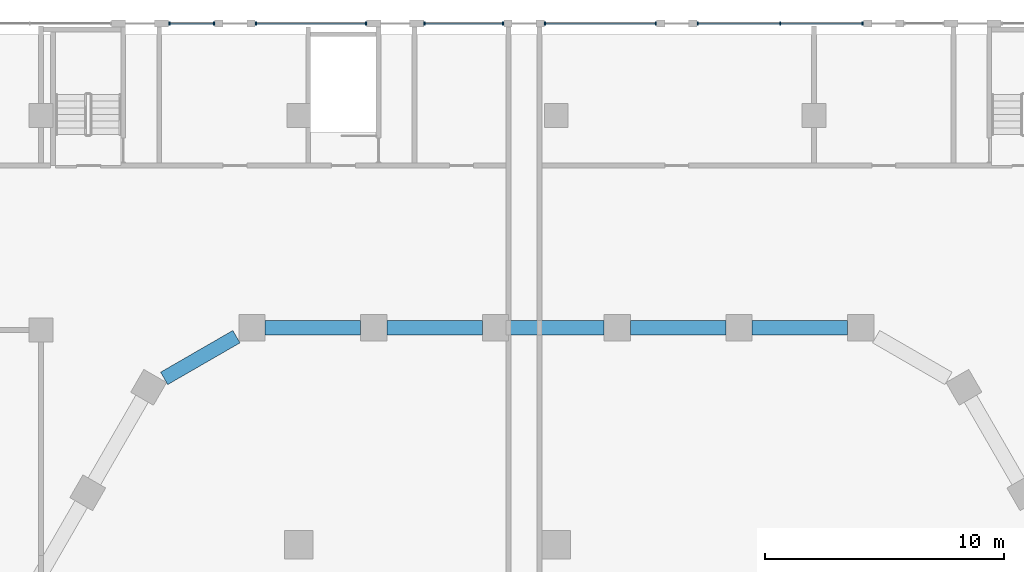
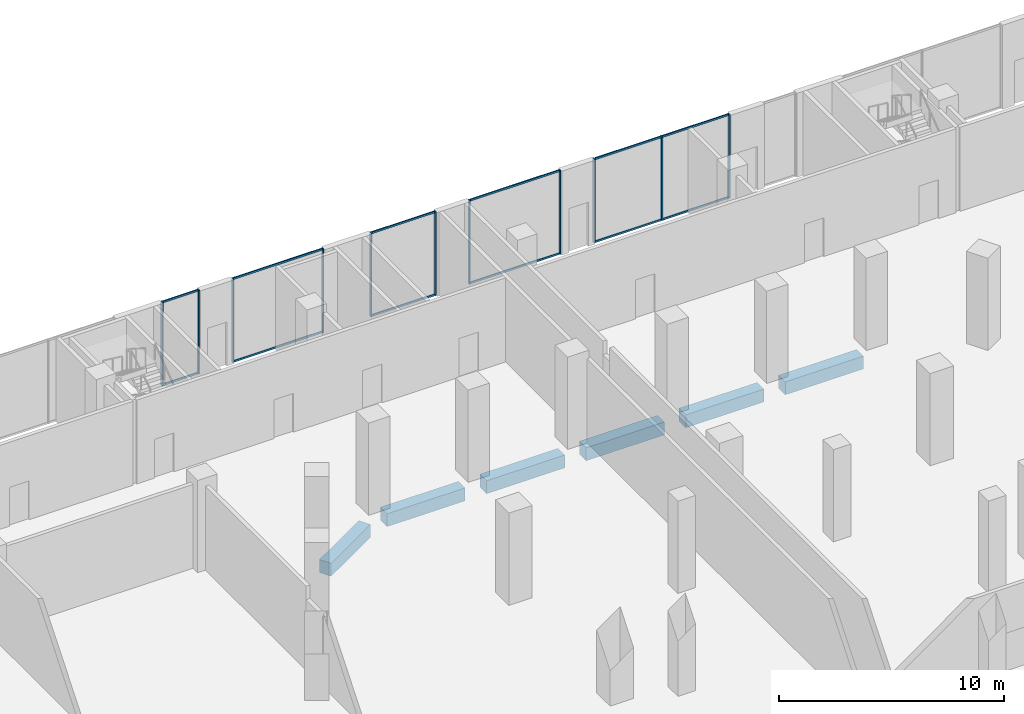
# One storey, part 13 of 57: 23 members, 6 beams, 5 elements without a shape of their own.
"""IFC4 building model written with IfcOpenShell, lengths in metres."""

from ifc_helpers import new_model, si_unit, direction, frame, origin, origin_2d, place, context, subcontext, project, spatial, rectangle, hollow_rectangle, extrude, material, material_profile, profile_set, type_object, element, aggregate, save


model = new_model("IFC4")

# Units and contexts
model_context = context("Model", 3, precision=1e-05, world=origin(), true_north=direction((0.0, 1.0)))
body_context = subcontext(model_context, "Body", "Model", "MODEL_VIEW")
ifc_project = project(units=[si_unit("LENGTHUNIT", "METRE"), si_unit("AREAUNIT", "SQUARE_METRE"), si_unit("VOLUMEUNIT", "CUBIC_METRE"), si_unit("PLANEANGLEUNIT", "RADIAN"), si_unit("MASSUNIT", "GRAM", prefix="KILO")], contexts=[model_context])

# Site, building, storey
site_placement = place(None, origin())
site = spatial("IfcSite", under=ifc_project, at=site_placement, CompositionType="ELEMENT")
building_placement = place(site_placement, origin())
building = spatial("IfcBuilding", under=site, at=building_placement, Name="Beryl Residences", CompositionType="ELEMENT")
storey_placement = place(building_placement, origin())
storey = spatial("IfcBuildingStorey", under=building, at=storey_placement, Name="L00", CompositionType="ELEMENT", Elevation=0.0)

# Curtain wall, members
ifc_material_1 = material(Name="Aluminium and clear glass", Category="aluminium")
curtain_wall_type = type_object("IfcCurtainWallType", Name="CW1 shopfront glazed wall", PredefinedType="NOTDEFINED", material=ifc_material_1)
curtain_wall_1_placement = place(storey_placement, origin())
curtain_wall_1 = element("IfcCurtainWall", 1, at=curtain_wall_1_placement, inside=storey, type_object=curtain_wall_type, Name="CW1 L00 N", PredefinedType="NOTDEFINED")
ifc_material_2 = material(Name="Aluminium", Category="aluminium")
ifc_material_profile_1 = material_profile(ifc_material_2, rectangle(XDim=0.06005859375, YDim=0.14990234375, at=origin_2d()))
ifc_profile_set_1 = profile_set([ifc_material_profile_1], Name="Aluminium")
member_type_1 = type_object("IfcMemberType", Name="CW1-M mullion 60 x 150 mm", PredefinedType="MULLION", material=ifc_profile_set_1)
member_1_placement = place(storey_placement, frame((12.844970703125, 39.85009765625, 0.0), z_axis=(0.0, 0.0, 1.0), x_axis=(-1.0, 0.0, 0.0)))
member_1 = element("IfcMember", 2, at=member_1_placement, type_object=member_type_1, Name="CW1 mullion 1", PredefinedType="MULLION", context=body_context, shape_type="SweptSolid", body=[
    extrude(rectangle(XDim=0.06005859375, YDim=0.14990234375, at=origin_2d()), origin(), (0.0, 0.0, 1.0), 4.550048828125),
])
member_2_placement = place(storey_placement, frame((9.387451171875, 39.85009765625, 0.0), z_axis=(0.0, 0.0, 1.0), x_axis=(-1.0, 0.0, 0.0)))
member_2 = element("IfcMember", 3, at=member_2_placement, type_object=member_type_1, Name="CW1 mullion 2", PredefinedType="MULLION", context=body_context, shape_type="SweptSolid", body=[
    extrude(rectangle(XDim=0.06005859375, YDim=0.14990234375, at=origin_2d()), origin(), (0.0, 0.0, 1.0), 4.550048828125),
])
member_3_placement = place(storey_placement, frame((5.929931640625, 39.85009765625, 0.0), z_axis=(0.0, 0.0, 1.0), x_axis=(-1.0, 0.0, 0.0)))
member_3 = element("IfcMember", 4, at=member_3_placement, type_object=member_type_1, Name="CW1 mullion 3", PredefinedType="MULLION", context=body_context, shape_type="SweptSolid", body=[
    extrude(rectangle(XDim=0.06005859375, YDim=0.14990234375, at=origin_2d()), origin(), (0.0, 0.0, 1.0), 4.550048828125),
])

curtain_wall_2_placement = place(storey_placement, origin())
curtain_wall_2 = element("IfcCurtainWall", 5, at=curtain_wall_2_placement, inside=storey, type_object=curtain_wall_type, Name="CW1 L00 N", PredefinedType="NOTDEFINED")
member_4_placement = place(storey_placement, frame((4.169921875, 39.85009765625, 0.0), z_axis=(0.0, 0.0, 1.0), x_axis=(-1.0, 0.0, 0.0)))
member_4 = element("IfcMember", 6, at=member_4_placement, type_object=member_type_1, Name="CW1 mullion 1", PredefinedType="MULLION", context=body_context, shape_type="SweptSolid", body=[
    extrude(rectangle(XDim=0.06005859375, YDim=0.14990234375, at=origin_2d()), origin(), (0.0, 0.0, 1.0), 4.550048828125),
])
member_5_placement = place(storey_placement, frame((-0.469970703125, 39.85009765625, 0.0), z_axis=(0.0, 0.0, 1.0), x_axis=(-1.0, 0.0, 0.0)))
member_5 = element("IfcMember", 7, at=member_5_placement, type_object=member_type_1, Name="CW1 mullion 2", PredefinedType="MULLION", context=body_context, shape_type="SweptSolid", body=[
    extrude(rectangle(XDim=0.06005859375, YDim=0.14990234375, at=origin_2d()), origin(), (0.0, 0.0, 1.0), 4.550048828125),
])

curtain_wall_3_placement = place(storey_placement, origin())
curtain_wall_3 = element("IfcCurtainWall", 8, at=curtain_wall_3_placement, inside=storey, type_object=curtain_wall_type, Name="CW1 L00 N", PredefinedType="NOTDEFINED")
member_6_placement = place(storey_placement, frame((-2.22998046875, 39.85009765625, 0.0), z_axis=(0.0, 0.0, 1.0), x_axis=(-1.0, 0.0, 0.0)))
member_6 = element("IfcMember", 9, at=member_6_placement, type_object=member_type_1, Name="CW1 mullion 1", PredefinedType="MULLION", context=body_context, shape_type="SweptSolid", body=[
    extrude(rectangle(XDim=0.06005859375, YDim=0.14990234375, at=origin_2d()), origin(), (0.0, 0.0, 1.0), 4.550048828125),
])
member_7_placement = place(storey_placement, frame((-5.52001953125, 39.85009765625, 0.0), z_axis=(0.0, 0.0, 1.0), x_axis=(-1.0, 0.0, 0.0)))
member_7 = element("IfcMember", 10, at=member_7_placement, type_object=member_type_1, Name="CW1 mullion 2", PredefinedType="MULLION", context=body_context, shape_type="SweptSolid", body=[
    extrude(rectangle(XDim=0.06005859375, YDim=0.14990234375, at=origin_2d()), origin(), (0.0, 0.0, 1.0), 4.550048828125),
])

curtain_wall_4_placement = place(storey_placement, origin())
curtain_wall_4 = element("IfcCurtainWall", 11, at=curtain_wall_4_placement, inside=storey, type_object=curtain_wall_type, Name="CW1 L00 N", PredefinedType="NOTDEFINED")
member_8_placement = place(storey_placement, frame((-7.97998046875, 39.85009765625, 0.0), z_axis=(0.0, 0.0, 1.0), x_axis=(-1.0, 0.0, 0.0)))
member_8 = element("IfcMember", 12, at=member_8_placement, type_object=member_type_1, Name="CW1 mullion 1", PredefinedType="MULLION", context=body_context, shape_type="SweptSolid", body=[
    extrude(rectangle(XDim=0.06005859375, YDim=0.14990234375, at=origin_2d()), origin(), (0.0, 0.0, 1.0), 4.550048828125),
])
member_9_placement = place(storey_placement, frame((-12.594970703125, 39.85009765625, 0.0), z_axis=(0.0, 0.0, 1.0), x_axis=(-1.0, 0.0, 0.0)))
member_9 = element("IfcMember", 13, at=member_9_placement, type_object=member_type_1, Name="CW1 mullion 2", PredefinedType="MULLION", context=body_context, shape_type="SweptSolid", body=[
    extrude(rectangle(XDim=0.06005859375, YDim=0.14990234375, at=origin_2d()), origin(), (0.0, 0.0, 1.0), 4.550048828125),
])

curtain_wall_5_placement = place(storey_placement, origin())
curtain_wall_5 = element("IfcCurtainWall", 14, at=curtain_wall_5_placement, inside=storey, type_object=curtain_wall_type, Name="CW1 L00 N", PredefinedType="NOTDEFINED")
member_10_placement = place(storey_placement, frame((-14.35498046875, 39.85009765625, 0.0), z_axis=(0.0, 0.0, 1.0), x_axis=(-1.0, 0.0, 0.0)))
member_10 = element("IfcMember", 15, at=member_10_placement, type_object=member_type_1, Name="CW1 mullion 1", PredefinedType="MULLION", context=body_context, shape_type="SweptSolid", body=[
    extrude(rectangle(XDim=0.06005859375, YDim=0.14990234375, at=origin_2d()), origin(), (0.0, 0.0, 1.0), 4.550048828125),
])
member_11_placement = place(storey_placement, frame((-16.219970703125, 39.85009765625, 0.0), z_axis=(0.0, 0.0, 1.0), x_axis=(-1.0, 0.0, 0.0)))
member_11 = element("IfcMember", 16, at=member_11_placement, type_object=member_type_1, Name="CW1 mullion 2", PredefinedType="MULLION", context=body_context, shape_type="SweptSolid", body=[
    extrude(rectangle(XDim=0.06005859375, YDim=0.14990234375, at=origin_2d()), origin(), (0.0, 0.0, 1.0), 4.550048828125),
])

# Member
ifc_material_3 = material(Name="Aluminium", Category="aluminium")
ifc_material_profile_2 = material_profile(ifc_material_3, hollow_rectangle(XDim=0.06005859375, YDim=0.10009765625, WallThickness=0.00390625, at=origin_2d()))
ifc_profile_set_2 = profile_set([ifc_material_profile_2], Name="Aluminium")
member_type_2 = type_object("IfcMemberType", Name="CW1-T transom 60 x 100 mm", PredefinedType="USERDEFINED", material=ifc_profile_set_2)
member_12_placement = place(storey_placement, frame((12.81494140625, 39.85009765625, 0.030029296875), z_axis=(-1.0, 0.0, 0.0), x_axis=(0.0, -1.0, 0.0)))
member_12 = element("IfcMember", 17, at=member_12_placement, type_object=member_type_2, Name="CW1 transom 1.1", ObjectType="TRANSOM", PredefinedType="USERDEFINED", context=body_context, shape_type="SweptSolid", body=[
    extrude(hollow_rectangle(XDim=0.06005859375, YDim=0.10009765625, WallThickness=0.00390625, at=origin_2d()), origin(), (0.0, 0.0, 1.0), 3.3974609375),
])

member_13_placement = place(storey_placement, frame((12.81494140625, 39.85009765625, 4.52001953125), z_axis=(-1.0, 0.0, 0.0), x_axis=(0.0, -1.0, 0.0)))
member_13 = element("IfcMember", 18, at=member_13_placement, type_object=member_type_2, Name="CW1 transom 1.2", ObjectType="TRANSOM", PredefinedType="USERDEFINED", context=body_context, shape_type="SweptSolid", body=[
    extrude(hollow_rectangle(XDim=0.06005859375, YDim=0.10009765625, WallThickness=0.00390625, at=origin_2d()), origin(), (0.0, 0.0, 1.0), 3.3974609375),
])

member_14_placement = place(storey_placement, frame((9.357421875, 39.85009765625, 0.030029296875), z_axis=(-1.0, 0.0, 0.0), x_axis=(0.0, -1.0, 0.0)))
member_14 = element("IfcMember", 19, at=member_14_placement, type_object=member_type_2, Name="CW1 transom 2.1", ObjectType="TRANSOM", PredefinedType="USERDEFINED", context=body_context, shape_type="SweptSolid", body=[
    extrude(hollow_rectangle(XDim=0.06005859375, YDim=0.10009765625, WallThickness=0.00390625, at=origin_2d()), origin(), (0.0, 0.0, 1.0), 3.3974609375),
])

member_15_placement = place(storey_placement, frame((9.357421875, 39.85009765625, 4.52001953125), z_axis=(-1.0, 0.0, 0.0), x_axis=(0.0, -1.0, 0.0)))
member_15 = element("IfcMember", 20, at=member_15_placement, type_object=member_type_2, Name="CW1 transom 2.2", ObjectType="TRANSOM", PredefinedType="USERDEFINED", context=body_context, shape_type="SweptSolid", body=[
    extrude(hollow_rectangle(XDim=0.06005859375, YDim=0.10009765625, WallThickness=0.00390625, at=origin_2d()), origin(), (0.0, 0.0, 1.0), 3.3974609375),
])

aggregate(curtain_wall_1, [member_1, member_2, member_3, member_12, member_13, member_14, member_15])

member_16_placement = place(storey_placement, frame((4.139892578125, 39.85009765625, 0.030029296875), z_axis=(-1.0, 0.0, 0.0), x_axis=(0.0, -1.0, 0.0)))
member_16 = element("IfcMember", 21, at=member_16_placement, type_object=member_type_2, Name="CW1 transom 1.1", ObjectType="TRANSOM", PredefinedType="USERDEFINED", context=body_context, shape_type="SweptSolid", body=[
    extrude(hollow_rectangle(XDim=0.06005859375, YDim=0.10009765625, WallThickness=0.00390625, at=origin_2d()), origin(), (0.0, 0.0, 1.0), 4.579833984375),
])

member_17_placement = place(storey_placement, frame((4.139892578125, 39.85009765625, 4.52001953125), z_axis=(-1.0, 0.0, 0.0), x_axis=(0.0, -1.0, 0.0)))
member_17 = element("IfcMember", 22, at=member_17_placement, type_object=member_type_2, Name="CW1 transom 1.2", ObjectType="TRANSOM", PredefinedType="USERDEFINED", context=body_context, shape_type="SweptSolid", body=[
    extrude(hollow_rectangle(XDim=0.06005859375, YDim=0.10009765625, WallThickness=0.00390625, at=origin_2d()), origin(), (0.0, 0.0, 1.0), 4.579833984375),
])

aggregate(curtain_wall_2, [member_4, member_5, member_16, member_17])

member_18_placement = place(storey_placement, frame((-2.260009765625, 39.85009765625, 0.030029296875), z_axis=(-1.0, 0.0, 0.0), x_axis=(0.0, -1.0, 0.0)))
member_18 = element("IfcMember", 23, at=member_18_placement, type_object=member_type_2, Name="CW1 transom 1.1", ObjectType="TRANSOM", PredefinedType="USERDEFINED", context=body_context, shape_type="SweptSolid", body=[
    extrude(hollow_rectangle(XDim=0.06005859375, YDim=0.10009765625, WallThickness=0.00390625, at=origin_2d()), origin(), (0.0, 0.0, 1.0), 3.22998046875),
])

member_19_placement = place(storey_placement, frame((-2.260009765625, 39.85009765625, 4.52001953125), z_axis=(-1.0, 0.0, 0.0), x_axis=(0.0, -1.0, 0.0)))
member_19 = element("IfcMember", 24, at=member_19_placement, type_object=member_type_2, Name="CW1 transom 1.2", ObjectType="TRANSOM", PredefinedType="USERDEFINED", context=body_context, shape_type="SweptSolid", body=[
    extrude(hollow_rectangle(XDim=0.06005859375, YDim=0.10009765625, WallThickness=0.00390625, at=origin_2d()), origin(), (0.0, 0.0, 1.0), 3.22998046875),
])

aggregate(curtain_wall_3, [member_6, member_7, member_18, member_19])

member_20_placement = place(storey_placement, frame((-8.010009765625, 39.85009765625, 0.030029296875), z_axis=(-1.0, 0.0, 0.0), x_axis=(0.0, -1.0, 0.0)))
member_20 = element("IfcMember", 25, at=member_20_placement, type_object=member_type_2, Name="CW1 transom 1.1", ObjectType="TRANSOM", PredefinedType="USERDEFINED", context=body_context, shape_type="SweptSolid", body=[
    extrude(hollow_rectangle(XDim=0.06005859375, YDim=0.10009765625, WallThickness=0.00390625, at=origin_2d()), origin(), (0.0, 0.0, 1.0), 4.554931640625),
])

member_21_placement = place(storey_placement, frame((-8.010009765625, 39.85009765625, 4.52001953125), z_axis=(-1.0, 0.0, 0.0), x_axis=(0.0, -1.0, 0.0)))
member_21 = element("IfcMember", 26, at=member_21_placement, type_object=member_type_2, Name="CW1 transom 1.2", ObjectType="TRANSOM", PredefinedType="USERDEFINED", context=body_context, shape_type="SweptSolid", body=[
    extrude(hollow_rectangle(XDim=0.06005859375, YDim=0.10009765625, WallThickness=0.00390625, at=origin_2d()), origin(), (0.0, 0.0, 1.0), 4.554931640625),
])

aggregate(curtain_wall_4, [member_8, member_9, member_20, member_21])

member_22_placement = place(storey_placement, frame((-14.385009765625, 39.85009765625, 0.030029296875), z_axis=(-1.0, 0.0, 0.0), x_axis=(0.0, -1.0, 0.0)))
member_22 = element("IfcMember", 27, at=member_22_placement, type_object=member_type_2, Name="CW1 transom 1.1", ObjectType="TRANSOM", PredefinedType="USERDEFINED", context=body_context, shape_type="SweptSolid", body=[
    extrude(hollow_rectangle(XDim=0.06005859375, YDim=0.10009765625, WallThickness=0.00390625, at=origin_2d()), origin(), (0.0, 0.0, 1.0), 1.804931640625),
])

member_23_placement = place(storey_placement, frame((-14.385009765625, 39.85009765625, 4.52001953125), z_axis=(-1.0, 0.0, 0.0), x_axis=(0.0, -1.0, 0.0)))
member_23 = element("IfcMember", 28, at=member_23_placement, type_object=member_type_2, Name="CW1 transom 1.2", ObjectType="TRANSOM", PredefinedType="USERDEFINED", context=body_context, shape_type="SweptSolid", body=[
    extrude(hollow_rectangle(XDim=0.06005859375, YDim=0.10009765625, WallThickness=0.00390625, at=origin_2d()), origin(), (0.0, 0.0, 1.0), 1.804931640625),
])

aggregate(curtain_wall_5, [member_10, member_11, member_22, member_23])

# Beams
ifc_material_4 = material(Name="Concrete C80/95", Category="concrete")
ifc_material_profile_3 = material_profile(ifc_material_4, rectangle(XDim=0.60009765625, YDim=0.699951171875, at=origin_2d()))
ifc_profile_set_3 = profile_set([ifc_material_profile_3], Name="Concrete C80/95")
beam_type = type_object("IfcBeamType", Name="SB1 spandrel beam 600 x 700 C80/95", PredefinedType="SPANDREL", material=ifc_profile_set_3)
for number, where, z_axis, x_axis, name in (
    (29, (12.208984375, 27.10009765625, -0.800048828125), (-1.0, 0.0, 0.0), (0.0, -1.0, 0.0), "SB1 L00 N-0"),
    (30, (7.10498046875, 27.10009765625, -0.800048828125), (-1.0, 0.0, 0.0), (0.0, -1.0, 0.0), "SB1 L00 N-1"),
    (31, (2.0009765625, 27.10009765625, -0.800048828125), (-1.0, 0.0, 0.0), (0.0, -1.0, 0.0), "SB1 L00 N-2"),
    (32, (-3.10302734375, 27.10009765625, -0.800048828125), (-1.0, 0.0, 0.0), (0.0, -1.0, 0.0), "SB1 L00 N-3"),
    (33, (-8.20703125, 27.10009765625, -0.800048828125), (-1.0, 0.0, 0.0), (0.0, -1.0, 0.0), "SB1 L00 N-4"),
):
    element("IfcBeam", number, at=place(storey_placement, frame(where, z_axis=z_axis, x_axis=x_axis)), inside=storey, type_object=beam_type, Name=name, PredefinedType="SPANDREL", context=body_context, shape_type="SweptSolid", body=[
        extrude(rectangle(XDim=0.60009765625, YDim=0.699951171875, at=origin_2d()), origin(), (0.0, 0.0, 1.0), 4.00390625),
    ])
beam_placement = place(storey_placement, frame((-13.410888671875, 26.72412109375, -0.800048828125), z_axis=(-0.866121658299, -0.499833245218, 0.0), x_axis=(0.499833245218, -0.866121658299, 0.0)))
element("IfcBeam", 34, at=beam_placement, inside=storey, type_object=beam_type, Name="SB1 L00 N-5", PredefinedType="SPANDREL", context=body_context, shape_type="SweptSolid", body=[
    extrude(rectangle(XDim=0.60009765625, YDim=0.699951171875, at=origin_2d()), origin(), (0.0, 0.0, 1.0), 3.497314453125),
])

save(model, "model.ifc")
